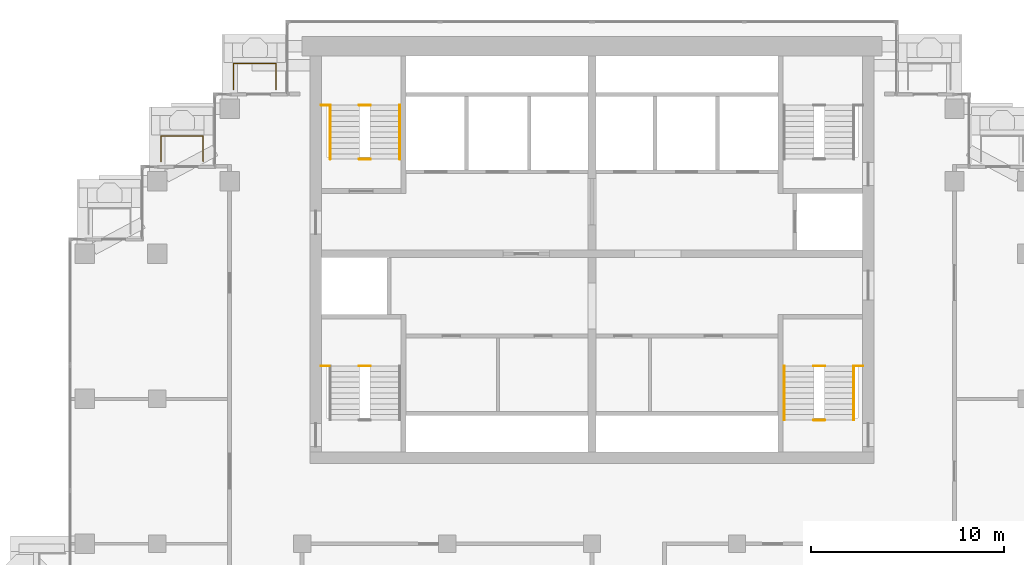
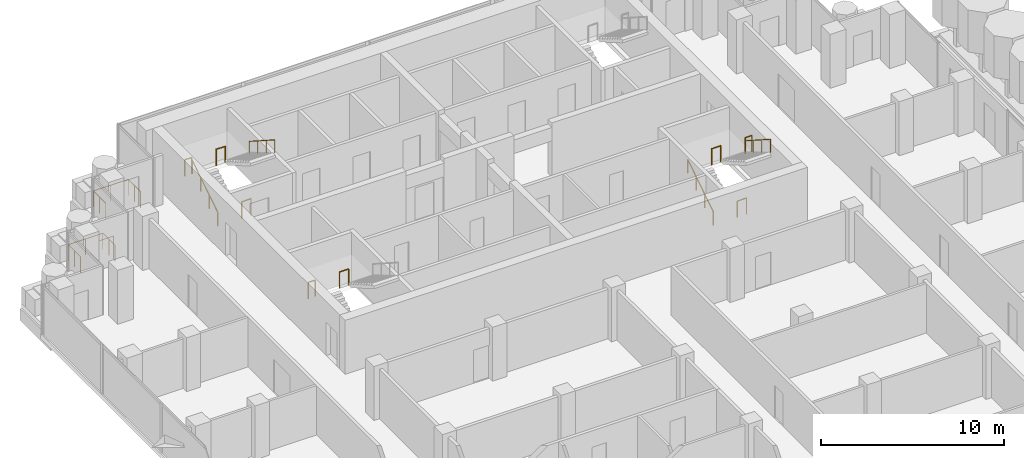
# One storey, part 16 of 18: 14 railings.
"""IFC4 building model written with IfcOpenShell, lengths in metres."""

from ifc_helpers import new_model, si_unit, direction, frame, origin, origin_2d, place, context, subcontext, project, spatial, circle, extrude, material, type_object, element, save


model = new_model("IFC4")

# Units and contexts
model_context = context("Model", 3, precision=1e-05, world=origin(), true_north=direction((0.0, 1.0)))
body_context = subcontext(model_context, "Body", "Model", "MODEL_VIEW")
ifc_project = project(units=[si_unit("LENGTHUNIT", "METRE"), si_unit("AREAUNIT", "SQUARE_METRE"), si_unit("VOLUMEUNIT", "CUBIC_METRE"), si_unit("PLANEANGLEUNIT", "RADIAN"), si_unit("MASSUNIT", "GRAM", prefix="KILO")], contexts=[model_context])

# Site, building, storey
site_placement = place(None, origin())
site = spatial("IfcSite", under=ifc_project, at=site_placement, CompositionType="ELEMENT")
building_placement = place(site_placement, origin())
building = spatial("IfcBuilding", under=site, at=building_placement, Name="Pilkhan Gate Tower", CompositionType="ELEMENT")
storey_placement = place(building_placement, frame((0.0, 0.0, 203.10009765625)))
storey = spatial("IfcBuildingStorey", under=building, at=storey_placement, Name="L52", CompositionType="ELEMENT", Elevation=203.10009765625)

# Railings
ifc_material_1 = material(Name="Pale anodised aluminium posts, laminated glass infill", Category="aluminium")
railing_type_1 = type_object("IfcRailingType", Name="Balcony guard G1", PredefinedType="BALUSTRADE", material=ifc_material_1)
railing_1_placement = place(storey_placement, frame((56.449951171875, 91.0, 0.0)))
element("IfcRailing", 1, at=railing_1_placement, inside=storey, type_object=railing_type_1, Name="Balcony guard L52 N", PredefinedType="BALUSTRADE", context=body_context, shape_type="SweptSolid", body=[
    extrude(circle(Radius=0.02392578125, at=origin_2d()), frame((0.0, 0.0, 1.076171875), z_axis=(0.0, 1.0, 0.0), x_axis=(-1.0, 0.0, 0.0)), (0.0, 0.0, 1.0), 1.35009765625),
    extrude(circle(Radius=0.02392578125, at=origin_2d()), frame((0.0, 1.35009765625, 1.076171875), z_axis=(1.0, 0.0, 0.0), x_axis=(0.0, 1.0, 0.0)), (0.0, 0.0, 1.0), 2.199951171875),
    extrude(circle(Radius=0.02392578125, at=origin_2d()), frame((2.199951171875, 1.35009765625, 1.076171875), z_axis=(0.0, -1.0, 0.0), x_axis=(1.0, 0.0, 0.0)), (0.0, 0.0, 1.0), 1.35009765625),
    extrude(circle(Radius=0.02099609375, at=origin_2d()), origin(), (0.0, 0.0, 1.0), 1.052001953125),
    extrude(circle(Radius=0.02099609375, at=origin_2d()), frame((0.0, 0.675048828125, 0.0)), (0.0, 0.0, 1.0), 1.052001953125),
    extrude(circle(Radius=0.02099609375, at=origin_2d()), frame((0.0, 1.35009765625, 0.0)), (0.0, 0.0, 1.0), 1.052001953125),
    extrude(circle(Radius=0.02099609375, at=origin_2d()), frame((1.10009765625, 1.35009765625, 0.0)), (0.0, 0.0, 1.0), 1.052001953125),
    extrude(circle(Radius=0.02099609375, at=origin_2d()), frame((2.199951171875, 1.35009765625, 0.0)), (0.0, 0.0, 1.0), 1.052001953125),
    extrude(circle(Radius=0.02099609375, at=origin_2d()), frame((2.199951171875, 0.675048828125, 0.0)), (0.0, 0.0, 1.0), 1.052001953125),
    extrude(circle(Radius=0.02099609375, at=origin_2d()), frame((2.199951171875, 0.0, 0.0)), (0.0, 0.0, 1.0), 1.052001953125),
])
railing_2_placement = place(storey_placement, frame((52.699951171875, 87.27001953125, 0.0)))
element("IfcRailing", 2, at=railing_2_placement, inside=storey, type_object=railing_type_1, Name="Balcony guard L52 N", PredefinedType="BALUSTRADE", context=body_context, shape_type="SweptSolid", body=[
    extrude(circle(Radius=0.02392578125, at=origin_2d()), frame((0.0, 0.0, 1.076171875), z_axis=(0.0, 1.0, 0.0), x_axis=(-1.0, 0.0, 0.0)), (0.0, 0.0, 1.0), 1.330078125),
    extrude(circle(Radius=0.02392578125, at=origin_2d()), frame((0.0, 1.330078125, 1.076171875), z_axis=(1.0, 0.0, 0.0), x_axis=(0.0, 1.0, 0.0)), (0.0, 0.0, 1.0), 2.179931640625),
    extrude(circle(Radius=0.02392578125, at=origin_2d()), frame((2.179931640625, 1.330078125, 1.076171875), z_axis=(0.0, -1.0, 0.0), x_axis=(1.0, 0.0, 0.0)), (0.0, 0.0, 1.0), 1.330078125),
    extrude(circle(Radius=0.02099609375, at=origin_2d()), origin(), (0.0, 0.0, 1.0), 1.052001953125),
    extrude(circle(Radius=0.02099609375, at=origin_2d()), frame((0.0, 0.6650390625, 0.0)), (0.0, 0.0, 1.0), 1.052001953125),
    extrude(circle(Radius=0.02099609375, at=origin_2d()), frame((0.0, 1.330078125, 0.0)), (0.0, 0.0, 1.0), 1.052001953125),
    extrude(circle(Radius=0.02099609375, at=origin_2d()), frame((1.08984375, 1.330078125, 0.0)), (0.0, 0.0, 1.0), 1.052001953125),
    extrude(circle(Radius=0.02099609375, at=origin_2d()), frame((2.179931640625, 1.330078125, 0.0)), (0.0, 0.0, 1.0), 1.052001953125),
    extrude(circle(Radius=0.02099609375, at=origin_2d()), frame((2.179931640625, 0.6650390625, 0.0)), (0.0, 0.0, 1.0), 1.052001953125),
    extrude(circle(Radius=0.02099609375, at=origin_2d()), frame((2.179931640625, 0.0, 0.0)), (0.0, 0.0, 1.0), 1.052001953125),
])
ifc_material_2 = material(Name="Black powder-coated steel tube", Category="steel")
railing_type_2 = type_object("IfcRailingType", Name="Stair handrail HR1", PredefinedType="HANDRAIL", material=ifc_material_2)
railing_3_placement = place(storey_placement, frame((84.949951171875, 73.89990234375, 0.0)))
element("IfcRailing", 3, at=railing_3_placement, inside=storey, type_object=railing_type_2, Name="Stair ST1 handrail L52", PredefinedType="HANDRAIL", context=body_context, shape_type="SweptSolid", body=[
    extrude(circle(Radius=0.02392578125, at=origin_2d()), frame((0.0, 0.0, 0.8759765625), z_axis=(0.0, 0.841209454229, 0.540709398952), x_axis=(-1.0, 0.0, 0.0)), (0.0, 0.0, 1.0), 3.32861328125),
    extrude(circle(Radius=0.02099609375, at=origin_2d()), origin(), (0.0, 0.0, 1.0), 0.851806640625),
    extrude(circle(Radius=0.02099609375, at=origin_2d()), frame((0.0, 0.933349609375, 0.599853515625)), (0.0, 0.0, 1.0), 0.851806640625),
    extrude(circle(Radius=0.02099609375, at=origin_2d()), frame((0.0, 1.86669921875, 1.199951171875)), (0.0, 0.0, 1.0), 0.851806640625),
    extrude(circle(Radius=0.02099609375, at=origin_2d()), frame((0.0, 2.800048828125, 1.7998046875)), (0.0, 0.0, 1.0), 0.851806640625),
])
railing_4_placement = place(storey_placement, frame((88.550048828125, 76.699951171875, 1.7998046875)))
element("IfcRailing", 4, at=railing_4_placement, inside=storey, type_object=railing_type_2, Name="Stair ST1 handrail L52", PredefinedType="HANDRAIL", context=body_context, shape_type="SweptSolid", body=[
    extrude(circle(Radius=0.02392578125, at=origin_2d()), frame((0.0, 0.0, 0.8759765625), z_axis=(0.0, -0.841176092368, 0.540761298198), x_axis=(1.0, 0.0, 0.0)), (0.0, 0.0, 1.0), 3.32861328125),
    extrude(circle(Radius=0.02099609375, at=origin_2d()), origin(), (0.0, 0.0, 1.0), 0.851806640625),
    extrude(circle(Radius=0.02099609375, at=origin_2d()), frame((0.0, -0.933349609375, 0.60009765625)), (0.0, 0.0, 1.0), 0.851806640625),
    extrude(circle(Radius=0.02099609375, at=origin_2d()), frame((0.0, -1.86669921875, 1.199951171875)), (0.0, 0.0, 1.0), 0.851806640625),
    extrude(circle(Radius=0.02099609375, at=origin_2d()), frame((0.0, -2.800048828125, 1.800048828125)), (0.0, 0.0, 1.0), 0.851806640625),
])
railing_5_placement = place(storey_placement, frame((61.449951171875, 87.39990234375, 0.0)))
element("IfcRailing", 5, at=railing_5_placement, inside=storey, type_object=railing_type_2, Name="Stair ST3 handrail L52", PredefinedType="HANDRAIL", context=body_context, shape_type="SweptSolid", body=[
    extrude(circle(Radius=0.02392578125, at=origin_2d()), frame((0.0, 0.0, 0.8759765625), z_axis=(0.0, 0.841209454229, 0.540709398952), x_axis=(-1.0, 0.0, 0.0)), (0.0, 0.0, 1.0), 3.32861328125),
    extrude(circle(Radius=0.02099609375, at=origin_2d()), origin(), (0.0, 0.0, 1.0), 0.851806640625),
    extrude(circle(Radius=0.02099609375, at=origin_2d()), frame((0.0, 0.933349609375, 0.599853515625)), (0.0, 0.0, 1.0), 0.851806640625),
    extrude(circle(Radius=0.02099609375, at=origin_2d()), frame((0.0, 1.86669921875, 1.199951171875)), (0.0, 0.0, 1.0), 0.851806640625),
    extrude(circle(Radius=0.02099609375, at=origin_2d()), frame((0.0, 2.800048828125, 1.7998046875)), (0.0, 0.0, 1.0), 0.851806640625),
])
railing_6_placement = place(storey_placement, frame((65.050048828125, 90.199951171875, 1.7998046875)))
element("IfcRailing", 6, at=railing_6_placement, inside=storey, type_object=railing_type_2, Name="Stair ST3 handrail L52", PredefinedType="HANDRAIL", context=body_context, shape_type="SweptSolid", body=[
    extrude(circle(Radius=0.02392578125, at=origin_2d()), frame((0.0, 0.0, 0.8759765625), z_axis=(0.0, -0.841176092368, 0.540761298198), x_axis=(1.0, 0.0, 0.0)), (0.0, 0.0, 1.0), 3.32861328125),
    extrude(circle(Radius=0.02099609375, at=origin_2d()), origin(), (0.0, 0.0, 1.0), 0.851806640625),
    extrude(circle(Radius=0.02099609375, at=origin_2d()), frame((0.0, -0.933349609375, 0.60009765625)), (0.0, 0.0, 1.0), 0.851806640625),
    extrude(circle(Radius=0.02099609375, at=origin_2d()), frame((0.0, -1.86669921875, 1.199951171875)), (0.0, 0.0, 1.0), 0.851806640625),
    extrude(circle(Radius=0.02099609375, at=origin_2d()), frame((0.0, -2.800048828125, 1.800048828125)), (0.0, 0.0, 1.0), 0.851806640625),
])
ifc_material_3 = material(Name="Black powder-coated steel balusters", Category="steel")
railing_type_3 = type_object("IfcRailingType", Name="Stair well guard G3", PredefinedType="GUARDRAIL", material=ifc_material_3)
railing_7_placement = place(storey_placement, frame((88.580078125, 76.699951171875, 1.7998046875)))
element("IfcRailing", 7, at=railing_7_placement, inside=storey, type_object=railing_type_3, Name="Stair ST1 well guard L52", PredefinedType="GUARDRAIL", context=body_context, shape_type="SweptSolid", body=[
    extrude(circle(Radius=0.02392578125, at=origin_2d()), frame((0.0, 0.0, 1.076171875), z_axis=(1.0, 0.0, 0.0), x_axis=(0.0, 1.0, 0.0)), (0.0, 0.0, 1.0), 0.43994140625),
    extrude(circle(Radius=0.02099609375, at=origin_2d()), origin(), (0.0, 0.0, 1.0), 1.052001953125),
    extrude(circle(Radius=0.02099609375, at=origin_2d()), frame((0.43994140625, 0.0, 0.0)), (0.0, 0.0, 1.0), 1.052001953125),
])
for number, where, name in (
    (8, (86.4599609375, 73.89990234375, 0.0), "Stair ST1 well guard L52"),
    (9, (86.4599609375, 76.699951171875, 1.7998046875), "Stair ST1 well guard L52"),
):
    element("IfcRailing", number, at=place(storey_placement, frame(where)), inside=storey, type_object=railing_type_3, Name=name, PredefinedType="GUARDRAIL", context=body_context, shape_type="SweptSolid", body=[
        extrude(circle(Radius=0.02392578125, at=origin_2d()), frame((0.0, 0.0, 1.076171875), z_axis=(1.0, 0.0, 0.0), x_axis=(0.0, 1.0, 0.0)), (0.0, 0.0, 1.0), 0.580078125),
        extrude(circle(Radius=0.02099609375, at=origin_2d()), origin(), (0.0, 0.0, 1.0), 1.052001953125),
        extrude(circle(Radius=0.02099609375, at=origin_2d()), frame((0.580078125, 0.0, 0.0)), (0.0, 0.0, 1.0), 1.052001953125),
    ])
railing_8_placement = place(storey_placement, frame((60.97998046875, 76.699951171875, 1.7998046875)))
element("IfcRailing", 10, at=railing_8_placement, inside=storey, type_object=railing_type_3, Name="Stair ST2 well guard L52", PredefinedType="GUARDRAIL", context=body_context, shape_type="SweptSolid", body=[
    extrude(circle(Radius=0.02392578125, at=origin_2d()), frame((0.0, 0.0, 1.076171875), z_axis=(1.0, 0.0, 0.0), x_axis=(0.0, 1.0, 0.0)), (0.0, 0.0, 1.0), 0.43994140625),
    extrude(circle(Radius=0.02099609375, at=origin_2d()), origin(), (0.0, 0.0, 1.0), 1.052001953125),
    extrude(circle(Radius=0.02099609375, at=origin_2d()), frame((0.43994140625, 0.0, 0.0)), (0.0, 0.0, 1.0), 1.052001953125),
])
railing_9_placement = place(storey_placement, frame((62.9599609375, 76.699951171875, 1.7998046875)))
element("IfcRailing", 11, at=railing_9_placement, inside=storey, type_object=railing_type_3, Name="Stair ST2 well guard L52", PredefinedType="GUARDRAIL", context=body_context, shape_type="SweptSolid", body=[
    extrude(circle(Radius=0.02392578125, at=origin_2d()), frame((0.0, 0.0, 1.076171875), z_axis=(1.0, 0.0, 0.0), x_axis=(0.0, 1.0, 0.0)), (0.0, 0.0, 1.0), 0.580078125),
    extrude(circle(Radius=0.02099609375, at=origin_2d()), origin(), (0.0, 0.0, 1.0), 1.052001953125),
    extrude(circle(Radius=0.02099609375, at=origin_2d()), frame((0.580078125, 0.0, 0.0)), (0.0, 0.0, 1.0), 1.052001953125),
])
railing_10_placement = place(storey_placement, frame((60.97998046875, 90.199951171875, 1.7998046875)))
element("IfcRailing", 12, at=railing_10_placement, inside=storey, type_object=railing_type_3, Name="Stair ST3 well guard L52", PredefinedType="GUARDRAIL", context=body_context, shape_type="SweptSolid", body=[
    extrude(circle(Radius=0.02392578125, at=origin_2d()), frame((0.0, 0.0, 1.076171875), z_axis=(1.0, 0.0, 0.0), x_axis=(0.0, 1.0, 0.0)), (0.0, 0.0, 1.0), 0.43994140625),
    extrude(circle(Radius=0.02099609375, at=origin_2d()), origin(), (0.0, 0.0, 1.0), 1.052001953125),
    extrude(circle(Radius=0.02099609375, at=origin_2d()), frame((0.43994140625, 0.0, 0.0)), (0.0, 0.0, 1.0), 1.052001953125),
])
for number, where, name in (
    (13, (62.9599609375, 87.39990234375, 0.0), "Stair ST3 well guard L52"),
    (14, (62.9599609375, 90.199951171875, 1.7998046875), "Stair ST3 well guard L52"),
):
    element("IfcRailing", number, at=place(storey_placement, frame(where)), inside=storey, type_object=railing_type_3, Name=name, PredefinedType="GUARDRAIL", context=body_context, shape_type="SweptSolid", body=[
        extrude(circle(Radius=0.02392578125, at=origin_2d()), frame((0.0, 0.0, 1.076171875), z_axis=(1.0, 0.0, 0.0), x_axis=(0.0, 1.0, 0.0)), (0.0, 0.0, 1.0), 0.580078125),
        extrude(circle(Radius=0.02099609375, at=origin_2d()), origin(), (0.0, 0.0, 1.0), 1.052001953125),
        extrude(circle(Radius=0.02099609375, at=origin_2d()), frame((0.580078125, 0.0, 0.0)), (0.0, 0.0, 1.0), 1.052001953125),
    ])

save(model, "model.ifc")
